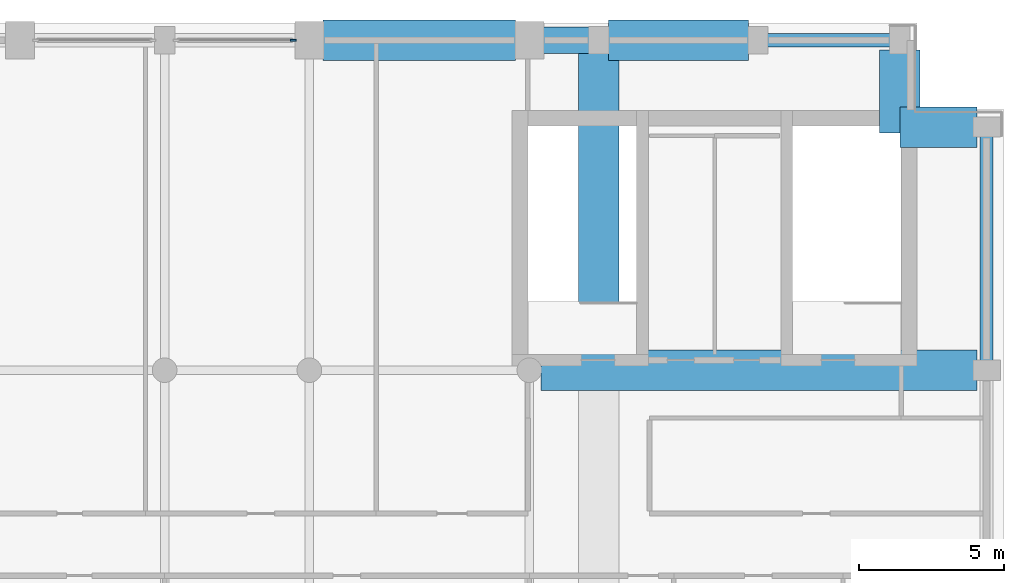
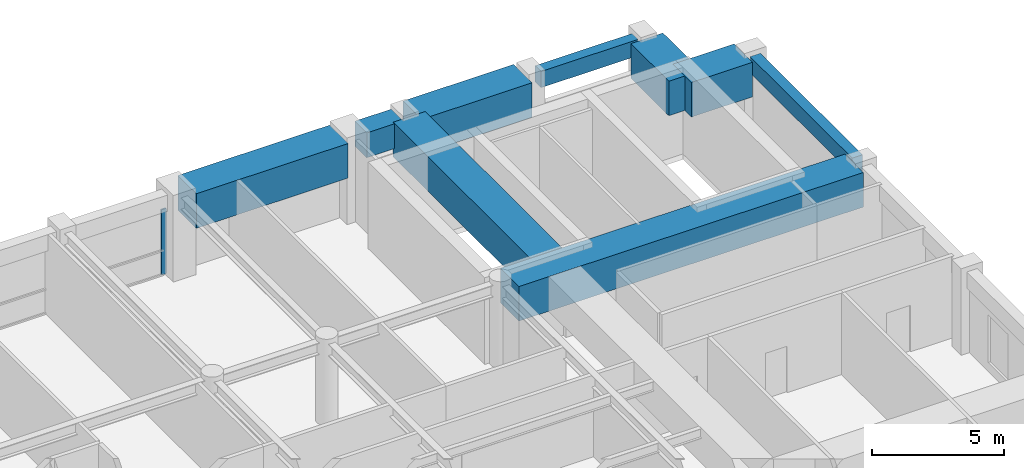
# One storey, part 6 of 14: 9 beams, 1 member, 1 element without a shape of its own.
"""IFC4 building model written with IfcOpenShell, lengths in metres."""

from ifc_helpers import new_model, si_unit, direction, frame, origin, origin_2d, place, context, subcontext, project, spatial, rectangle, extrude, material, layer, layer_set, material_profile, profile_set, type_object, element, aggregate, save


model = new_model("IFC4")

# Units and contexts
model_context = context("Model", 3, precision=1e-05, world=origin(), true_north=direction((0.0, 1.0)))
body_context = subcontext(model_context, "Body", "Model", "MODEL_VIEW")
ifc_project = project(units=[si_unit("LENGTHUNIT", "METRE"), si_unit("AREAUNIT", "SQUARE_METRE"), si_unit("VOLUMEUNIT", "CUBIC_METRE"), si_unit("PLANEANGLEUNIT", "RADIAN"), si_unit("MASSUNIT", "GRAM", prefix="KILO")], contexts=[model_context])

# Site, building, storey
site_placement = place(None, origin())
site = spatial("IfcSite", under=ifc_project, at=site_placement, CompositionType="ELEMENT")
building_placement = place(site_placement, origin())
building = spatial("IfcBuilding", under=site, at=building_placement, Name="Sulina Concourse Tower", CompositionType="ELEMENT")
storey_placement = place(building_placement, frame((0.0, 0.0, 285.0)))
storey = spatial("IfcBuildingStorey", under=building, at=storey_placement, Name="L69", CompositionType="ELEMENT", Elevation=285.0)

# Beams
ifc_material_1 = material(Name="Concrete C60/75", Category="concrete")
ifc_material_profile_1 = material_profile(ifc_material_1, rectangle(XDim=1.39990234375, YDim=1.60009765625, at=origin_2d()), Name="RC 1400x1600")
ifc_profile_set_1 = profile_set([ifc_material_profile_1], Name="Concrete C60/75")
beam_type_1 = type_object("IfcBeamType", Name="Perimeter & Step Transfer Girder 1400x1600", PredefinedType="BEAM", material=ifc_profile_set_1)
beam_1_placement = place(storey_placement, frame((34.47998046875, 45.39990234375, 2.97509765625), z_axis=(1.0, 0.0, 0.0), x_axis=(0.0, 1.0, 0.0)))
element("IfcBeam", 1, at=beam_1_placement, inside=storey, type_object=beam_type_1, Name="TG-CSTEP-N7-L69", PredefinedType="BEAM", context=body_context, shape_type="SweptSolid", body=[
    extrude(rectangle(XDim=1.39990234375, YDim=1.60009765625, at=origin_2d()), origin(), (0.0, 0.0, 1.0), 6.64013671875),
])
beam_2_placement = place(storey_placement, frame((44.330078125, 45.39990234375, 2.965087890625), z_axis=(1.0, 0.0, 0.0), x_axis=(0.0, 1.0, 0.0)))
element("IfcBeam", 2, at=beam_2_placement, inside=storey, type_object=beam_type_1, Name="TG-CSTEP-N9-L69", PredefinedType="BEAM", context=body_context, shape_type="SweptSolid", body=[
    extrude(rectangle(XDim=1.39990234375, YDim=1.60009765625, at=origin_2d()), origin(), (0.0, 0.0, 1.0), 4.83984375),
])
beam_3_placement = place(storey_placement, frame((54.39990234375, 42.39990234375, 2.965087890625), z_axis=(1.0, 0.0, 0.0), x_axis=(0.0, 1.0, 0.0)))
element("IfcBeam", 3, at=beam_3_placement, inside=storey, type_object=beam_type_1, Name="TIE-NE-L69", PredefinedType="BEAM", context=body_context, shape_type="SweptSolid", body=[
    extrude(rectangle(XDim=1.39990234375, YDim=1.60009765625, at=origin_2d()), origin(), (0.0, 0.0, 1.0), 2.670166015625),
])
beam_4_placement = place(storey_placement, frame((54.39990234375, 42.199951171875, 2.965087890625), z_axis=(0.0, 1.0, 0.0), x_axis=(-1.0, 0.0, 0.0)))
element("IfcBeam", 4, at=beam_4_placement, inside=storey, type_object=beam_type_1, Name="TIE-NEN-L69", PredefinedType="BEAM", context=body_context, shape_type="SweptSolid", body=[
    extrude(rectangle(XDim=1.39990234375, YDim=1.60009765625, at=origin_2d()), origin(), (0.0, 0.0, 1.0), 2.8701171875),
])
beam_5_placement = place(storey_placement, frame((42.0048828125, 34.0, 2.965087890625), z_axis=(1.0, 0.0, 0.0), x_axis=(0.0, 1.0, 0.0)))
element("IfcBeam", 5, at=beam_5_placement, inside=storey, type_object=beam_type_1, Name="TG-EW-N5-L69", PredefinedType="BEAM", context=body_context, shape_type="SweptSolid", body=[
    extrude(rectangle(XDim=1.39990234375, YDim=1.60009765625, at=origin_2d()), origin(), (0.0, 0.0, 1.0), 15.065185546875),
])
beam_6_placement = place(storey_placement, frame((44.0, 34.699951171875, 2.97509765625), z_axis=(0.0, 1.0, 0.0), x_axis=(-1.0, 0.0, 0.0)))
element("IfcBeam", 6, at=beam_6_placement, inside=storey, type_object=beam_type_1, Name="TG-NS-N-44-L69", PredefinedType="BEAM", context=body_context, shape_type="SweptSolid", body=[
    extrude(rectangle(XDim=1.39990234375, YDim=1.60009765625, at=origin_2d()), origin(), (0.0, 0.0, 1.0), 10.3701171875),
])
ifc_material_2 = material(Name="Concrete C60/75", Category="concrete")
ifc_material_profile_2 = material_profile(ifc_material_2, rectangle(XDim=0.89990234375, YDim=1.14990234375, at=origin_2d()), Name="RC 900x1150")
ifc_profile_set_2 = profile_set([ifc_material_profile_2], Name="Concrete C60/75")
beam_type_2 = type_object("IfcBeamType", Name="Short-Span Step Transfer Beam 900x1150", PredefinedType="BEAM", material=ifc_profile_set_2)
beam_7_placement = place(storey_placement, frame((42.080078125, 45.39990234375, 3.199951171875), z_axis=(1.0, 0.0, 0.0), x_axis=(0.0, 1.0, 0.0)))
element("IfcBeam", 7, at=beam_7_placement, inside=storey, type_object=beam_type_2, Name="TG-CSTEP-N8-L69", PredefinedType="BEAM", context=body_context, shape_type="SweptSolid", body=[
    extrude(rectangle(XDim=0.89990234375, YDim=1.14990234375, at=origin_2d()), origin(), (0.0, 0.0, 1.0), 1.58984375),
])

# Curtain wall, member
ifc_material_3 = material(Name="Aluminium 6063-T6", Category="aluminium")
ifc_layer = layer(ifc_material_3, 0.22998046875)
ifc_layer_set = layer_set([ifc_layer], Name="Aluminium 6063-T6")
curtain_wall_type = type_object("IfcCurtainWallType", Name="Sky-Pool Wellness Lounge Curtain Wall System", PredefinedType="NOTDEFINED", material=ifc_layer_set)
curtain_wall_placement = place(storey_placement, origin())
curtain_wall = element("IfcCurtainWall", 8, at=curtain_wall_placement, inside=storey, type_object=curtain_wall_type, Name="L69 glazed curtain wall N6", PredefinedType="NOTDEFINED")
ifc_material_4 = material(Name="Aluminium 6063-T6", Category="aluminium")
ifc_material_profile_3 = material_profile(ifc_material_4, rectangle(XDim=0.068115234375, YDim=0.2099609375, at=origin_2d()), Name="MUL 68x210")
ifc_profile_set_3 = profile_set([ifc_material_profile_3], Name="Aluminium 6063-T6")
member_type = type_object("IfcMemberType", Name="Sky-Pool Wellness Lounge Curtain Wall System Mullion 68x210", PredefinedType="MULLION", material=ifc_profile_set_3)
member_placement = place(storey_placement, frame((33.446044921875, 45.39990234375, 0.0), z_axis=(0.0, 0.0, 1.0), x_axis=(0.0, 1.0, 0.0)))
member = element("IfcMember", 9, at=member_placement, type_object=member_type, Name="CW-05 mullion 2", PredefinedType="MULLION", context=body_context, shape_type="SweptSolid", body=[
    extrude(rectangle(XDim=0.068115234375, YDim=0.2099609375, at=origin_2d()), origin(), (0.0, 0.0, 1.0), 3.02490234375),
])
aggregate(curtain_wall, [member])

# Beams
ifc_material_5 = material(Name="Precast concrete C50/60", Category="concrete")
ifc_material_profile_4 = material_profile(ifc_material_5, rectangle(XDim=0.449951171875, YDim=0.75, at=origin_2d()), Name="RC 450x750")
ifc_profile_set_4 = profile_set([ifc_material_profile_4], Name="Precast concrete C50/60")
beam_type_3 = type_object("IfcBeamType", Name="Upper Precast Spandrel Edge Beam 450x750", PredefinedType="BEAM", material=ifc_profile_set_4)
beam_8_placement = place(storey_placement, frame((49.830078125, 45.39990234375, 3.389892578125), z_axis=(1.0, 0.0, 0.0), x_axis=(0.0, 1.0, 0.0)))
element("IfcBeam", 10, at=beam_8_placement, inside=storey, type_object=beam_type_3, Name="SP-N10-L69", PredefinedType="BEAM", context=body_context, shape_type="SweptSolid", body=[
    extrude(rectangle(XDim=0.449951171875, YDim=0.75, at=origin_2d()), origin(), (0.0, 0.0, 1.0), 4.239990234375),
])
beam_9_placement = place(storey_placement, frame((57.39990234375, 34.330078125, 3.389892578125), z_axis=(0.0, 1.0, 0.0), x_axis=(-1.0, 0.0, 0.0)))
element("IfcBeam", 11, at=beam_9_placement, inside=storey, type_object=beam_type_3, Name="SP-E5-L69", PredefinedType="BEAM", context=body_context, shape_type="SweptSolid", body=[
    extrude(rectangle(XDim=0.449951171875, YDim=0.75, at=origin_2d()), origin(), (0.0, 0.0, 1.0), 7.739990234375),
])

save(model, "model.ifc")
